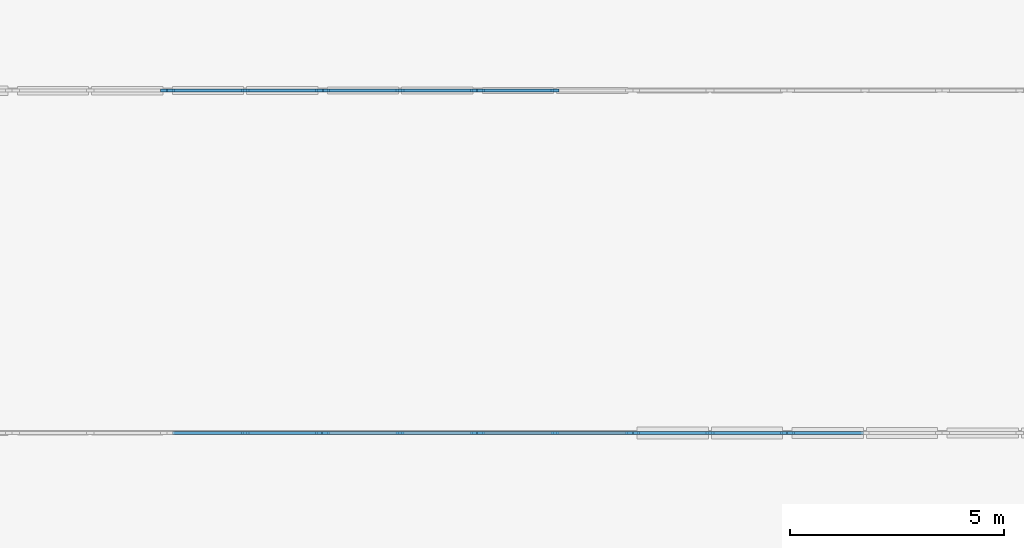
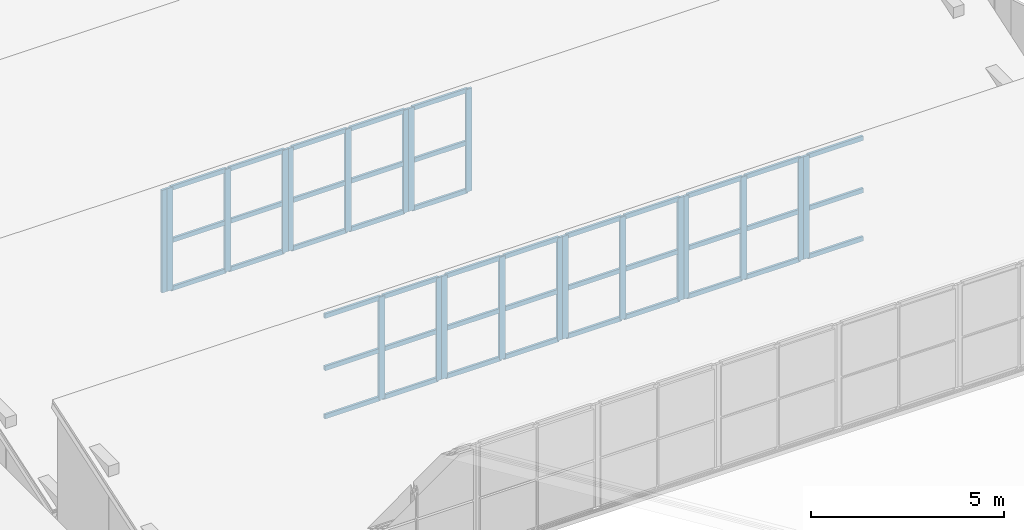
# One storey, part 8 of 45: 63 members, 9 elements without a shape of their own.
"""IFC4 building model written with IfcOpenShell, lengths in metres."""

from ifc_helpers import new_model, si_unit, direction, frame, origin, origin_2d, place, context, subcontext, project, spatial, rectangle, extrude, material, layer, layer_set, material_profile, profile_set, type_object, element, aggregate, save


model = new_model("IFC4")

# Units and contexts
model_context = context("Model", 3, precision=1e-05, world=origin(), true_north=direction((0.0, 1.0)))
body_context = subcontext(model_context, "Body", "Model", "MODEL_VIEW")
ifc_project = project(units=[si_unit("LENGTHUNIT", "METRE"), si_unit("AREAUNIT", "SQUARE_METRE"), si_unit("VOLUMEUNIT", "CUBIC_METRE"), si_unit("PLANEANGLEUNIT", "RADIAN"), si_unit("MASSUNIT", "GRAM", prefix="KILO")], contexts=[model_context])

# Site, building, storey
site_placement = place(None, origin())
site = spatial("IfcSite", under=ifc_project, at=site_placement, CompositionType="ELEMENT")
building_placement = place(site_placement, origin())
building = spatial("IfcBuilding", under=site, at=building_placement, Name="Cinchona Park Media Centre", CompositionType="ELEMENT")
storey_placement = place(building_placement, frame((0.0, 0.0, 20.39990234375)))
storey = spatial("IfcBuildingStorey", under=building, at=storey_placement, Name="L04", CompositionType="ELEMENT", Elevation=20.39990234375)

# Curtain wall, member
ifc_material_1 = material(Name="Aluminium Curtain Wall Framing", Category="aluminium")
ifc_layer = layer(ifc_material_1, 0.31494140625)
ifc_layer_set = layer_set([ifc_layer], Name="Aluminium Curtain Wall Framing")
curtain_wall_type = type_object("IfcCurtainWallType", Name="CW-CW10", PredefinedType="USERDEFINED", material=ifc_layer_set)
curtain_wall_1_placement = place(storey_placement, origin())
curtain_wall_1 = element("IfcCurtainWall", 1, at=curtain_wall_1_placement, inside=storey, type_object=curtain_wall_type, Name="North-Light Sawtooth Clerestory V1 Bay 4.2 CW10 L04", ObjectType="UNITISED CURTAIN WALL", PredefinedType="USERDEFINED")
ifc_material_2 = material(Name="Anodised Aluminium Alloy 6063-T6", Category="aluminium")
ifc_material_profile_1 = material_profile(ifc_material_2, rectangle(XDim=0.070068359375, YDim=0.179931640625, at=origin_2d()), Name="MUL-70X180")
ifc_profile_set_1 = profile_set([ifc_material_profile_1], Name="Anodised Aluminium Alloy 6063-T6")
member_type_1 = type_object("IfcMemberType", Name="MULLION-MUL02", PredefinedType="MULLION", material=ifc_profile_set_1)
member_1_placement = place(storey_placement, frame((37.695068359375, 39.60009765625, 0.18017578125), z_axis=(0.0, 0.0, 1.0), x_axis=(0.0, -1.0, 0.0)))
member_1 = element("IfcMember", 2, at=member_1_placement, type_object=member_type_1, Name="CW10 mullion 3", PredefinedType="MULLION", context=body_context, shape_type="SweptSolid", body=[
    extrude(rectangle(XDim=0.070068359375, YDim=0.179931640625, at=origin_2d()), origin(), (0.0, 0.0, 1.0), 3.2568359375),
])

# Curtain wall, members
curtain_wall_2_placement = place(storey_placement, origin())
curtain_wall_2 = element("IfcCurtainWall", 3, at=curtain_wall_2_placement, inside=storey, type_object=curtain_wall_type, Name="North-Light Sawtooth Clerestory V1 Bay 4.3 CW10 L04", ObjectType="UNITISED CURTAIN WALL", PredefinedType="USERDEFINED")
member_2_placement = place(storey_placement, frame((37.544921875, 39.60009765625, 0.18017578125), z_axis=(0.0, 0.0, 1.0), x_axis=(0.0, -1.0, 0.0)))
member_2 = element("IfcMember", 4, at=member_2_placement, type_object=member_type_1, Name="CW10 mullion 1", PredefinedType="MULLION", context=body_context, shape_type="SweptSolid", body=[
    extrude(rectangle(XDim=0.070068359375, YDim=0.179931640625, at=origin_2d()), origin(), (0.0, 0.0, 1.0), 3.2568359375),
])
member_3_placement = place(storey_placement, frame((35.81005859375, 39.60009765625, 0.18017578125), z_axis=(0.0, 0.0, 1.0), x_axis=(0.0, -1.0, 0.0)))
member_3 = element("IfcMember", 5, at=member_3_placement, type_object=member_type_1, Name="CW10 mullion 2", PredefinedType="MULLION", context=body_context, shape_type="SweptSolid", body=[
    extrude(rectangle(XDim=0.070068359375, YDim=0.179931640625, at=origin_2d()), origin(), (0.0, 0.0, 1.0), 3.2568359375),
])
member_4_placement = place(storey_placement, frame((34.074951171875, 39.60009765625, 0.18017578125), z_axis=(0.0, 0.0, 1.0), x_axis=(0.0, -1.0, 0.0)))
member_4 = element("IfcMember", 6, at=member_4_placement, type_object=member_type_1, Name="CW10 mullion 3", PredefinedType="MULLION", context=body_context, shape_type="SweptSolid", body=[
    extrude(rectangle(XDim=0.070068359375, YDim=0.179931640625, at=origin_2d()), origin(), (0.0, 0.0, 1.0), 3.2568359375),
])

curtain_wall_3_placement = place(storey_placement, origin())
curtain_wall_3 = element("IfcCurtainWall", 7, at=curtain_wall_3_placement, inside=storey, type_object=curtain_wall_type, Name="North-Light Sawtooth Clerestory V1 Bay 4.4 CW10 L04", ObjectType="UNITISED CURTAIN WALL", PredefinedType="USERDEFINED")
member_5_placement = place(storey_placement, frame((33.925048828125, 39.60009765625, 0.18017578125), z_axis=(0.0, 0.0, 1.0), x_axis=(0.0, -1.0, 0.0)))
member_5 = element("IfcMember", 8, at=member_5_placement, type_object=member_type_1, Name="CW10 mullion 1", PredefinedType="MULLION", context=body_context, shape_type="SweptSolid", body=[
    extrude(rectangle(XDim=0.070068359375, YDim=0.179931640625, at=origin_2d()), origin(), (0.0, 0.0, 1.0), 3.2568359375),
])
member_6_placement = place(storey_placement, frame((32.18994140625, 39.60009765625, 0.18017578125), z_axis=(0.0, 0.0, 1.0), x_axis=(0.0, -1.0, 0.0)))
member_6 = element("IfcMember", 9, at=member_6_placement, type_object=member_type_1, Name="CW10 mullion 2", PredefinedType="MULLION", context=body_context, shape_type="SweptSolid", body=[
    extrude(rectangle(XDim=0.070068359375, YDim=0.179931640625, at=origin_2d()), origin(), (0.0, 0.0, 1.0), 3.2568359375),
])
member_7_placement = place(storey_placement, frame((30.455078125, 39.60009765625, 0.18017578125), z_axis=(0.0, 0.0, 1.0), x_axis=(0.0, -1.0, 0.0)))
member_7 = element("IfcMember", 10, at=member_7_placement, type_object=member_type_1, Name="CW10 mullion 3", PredefinedType="MULLION", context=body_context, shape_type="SweptSolid", body=[
    extrude(rectangle(XDim=0.070068359375, YDim=0.179931640625, at=origin_2d()), origin(), (0.0, 0.0, 1.0), 3.2568359375),
])

curtain_wall_4_placement = place(storey_placement, origin())
curtain_wall_4 = element("IfcCurtainWall", 11, at=curtain_wall_4_placement, inside=storey, type_object=curtain_wall_type, Name="North-Light Sawtooth Clerestory V1 Bay 4.5 CW10 L04", ObjectType="UNITISED CURTAIN WALL", PredefinedType="USERDEFINED")
member_8_placement = place(storey_placement, frame((30.304931640625, 39.60009765625, 0.18017578125), z_axis=(0.0, 0.0, 1.0), x_axis=(0.0, -1.0, 0.0)))
member_8 = element("IfcMember", 12, at=member_8_placement, type_object=member_type_1, Name="CW10 mullion 1", PredefinedType="MULLION", context=body_context, shape_type="SweptSolid", body=[
    extrude(rectangle(XDim=0.070068359375, YDim=0.179931640625, at=origin_2d()), origin(), (0.0, 0.0, 1.0), 3.2568359375),
])
member_9_placement = place(storey_placement, frame((28.570068359375, 39.60009765625, 0.18017578125), z_axis=(0.0, 0.0, 1.0), x_axis=(0.0, -1.0, 0.0)))
member_9 = element("IfcMember", 13, at=member_9_placement, type_object=member_type_1, Name="CW10 mullion 2", PredefinedType="MULLION", context=body_context, shape_type="SweptSolid", body=[
    extrude(rectangle(XDim=0.070068359375, YDim=0.179931640625, at=origin_2d()), origin(), (0.0, 0.0, 1.0), 3.2568359375),
])
member_10_placement = place(storey_placement, frame((26.8349609375, 39.60009765625, 0.18017578125), z_axis=(0.0, 0.0, 1.0), x_axis=(0.0, -1.0, 0.0)))
member_10 = element("IfcMember", 14, at=member_10_placement, type_object=member_type_1, Name="CW10 mullion 3", PredefinedType="MULLION", context=body_context, shape_type="SweptSolid", body=[
    extrude(rectangle(XDim=0.070068359375, YDim=0.179931640625, at=origin_2d()), origin(), (0.0, 0.0, 1.0), 3.2568359375),
])

curtain_wall_5_placement = place(storey_placement, origin())
curtain_wall_5 = element("IfcCurtainWall", 15, at=curtain_wall_5_placement, inside=storey, type_object=curtain_wall_type, Name="North-Light Sawtooth Clerestory V1 Bay 4.6 CW10 L04", ObjectType="UNITISED CURTAIN WALL", PredefinedType="USERDEFINED")
member_11_placement = place(storey_placement, frame((26.68505859375, 39.60009765625, 0.18017578125), z_axis=(0.0, 0.0, 1.0), x_axis=(0.0, -1.0, 0.0)))
member_11 = element("IfcMember", 16, at=member_11_placement, type_object=member_type_1, Name="CW10 mullion 1", PredefinedType="MULLION", context=body_context, shape_type="SweptSolid", body=[
    extrude(rectangle(XDim=0.070068359375, YDim=0.179931640625, at=origin_2d()), origin(), (0.0, 0.0, 1.0), 3.2568359375),
])
member_12_placement = place(storey_placement, frame((24.949951171875, 39.60009765625, 0.18017578125), z_axis=(0.0, 0.0, 1.0), x_axis=(0.0, -1.0, 0.0)))
member_12 = element("IfcMember", 17, at=member_12_placement, type_object=member_type_1, Name="CW10 mullion 2", PredefinedType="MULLION", context=body_context, shape_type="SweptSolid", body=[
    extrude(rectangle(XDim=0.070068359375, YDim=0.179931640625, at=origin_2d()), origin(), (0.0, 0.0, 1.0), 3.2568359375),
])

curtain_wall_6_placement = place(storey_placement, origin())
curtain_wall_6 = element("IfcCurtainWall", 18, at=curtain_wall_6_placement, inside=storey, type_object=curtain_wall_type, Name="North-Light Sawtooth Clerestory V1 Bay 5.4 CW10 L04", ObjectType="UNITISED CURTAIN WALL", PredefinedType="USERDEFINED")
member_13_placement = place(storey_placement, frame((32.18994140625, 47.60009765625, -0.619873046875), z_axis=(0.0, 0.0, 1.0), x_axis=(0.0, -1.0, 0.0)))
member_13 = element("IfcMember", 19, at=member_13_placement, type_object=member_type_1, Name="CW10 mullion 2", PredefinedType="MULLION", context=body_context, shape_type="SweptSolid", body=[
    extrude(rectangle(XDim=0.070068359375, YDim=0.179931640625, at=origin_2d()), origin(), (0.0, 0.0, 1.0), 3.257080078125),
])
member_14_placement = place(storey_placement, frame((30.455078125, 47.60009765625, -0.619873046875), z_axis=(0.0, 0.0, 1.0), x_axis=(0.0, -1.0, 0.0)))
member_14 = element("IfcMember", 20, at=member_14_placement, type_object=member_type_1, Name="CW10 mullion 3", PredefinedType="MULLION", context=body_context, shape_type="SweptSolid", body=[
    extrude(rectangle(XDim=0.070068359375, YDim=0.179931640625, at=origin_2d()), origin(), (0.0, 0.0, 1.0), 3.257080078125),
])

curtain_wall_7_placement = place(storey_placement, origin())
curtain_wall_7 = element("IfcCurtainWall", 21, at=curtain_wall_7_placement, inside=storey, type_object=curtain_wall_type, Name="North-Light Sawtooth Clerestory V1 Bay 5.5 CW10 L04", ObjectType="UNITISED CURTAIN WALL", PredefinedType="USERDEFINED")
member_15_placement = place(storey_placement, frame((30.304931640625, 47.60009765625, -0.619873046875), z_axis=(0.0, 0.0, 1.0), x_axis=(0.0, -1.0, 0.0)))
member_15 = element("IfcMember", 22, at=member_15_placement, type_object=member_type_1, Name="CW10 mullion 1", PredefinedType="MULLION", context=body_context, shape_type="SweptSolid", body=[
    extrude(rectangle(XDim=0.070068359375, YDim=0.179931640625, at=origin_2d()), origin(), (0.0, 0.0, 1.0), 3.257080078125),
])
member_16_placement = place(storey_placement, frame((28.570068359375, 47.60009765625, -0.619873046875), z_axis=(0.0, 0.0, 1.0), x_axis=(0.0, -1.0, 0.0)))
member_16 = element("IfcMember", 23, at=member_16_placement, type_object=member_type_1, Name="CW10 mullion 2", PredefinedType="MULLION", context=body_context, shape_type="SweptSolid", body=[
    extrude(rectangle(XDim=0.070068359375, YDim=0.179931640625, at=origin_2d()), origin(), (0.0, 0.0, 1.0), 3.257080078125),
])
member_17_placement = place(storey_placement, frame((26.8349609375, 47.60009765625, -0.619873046875), z_axis=(0.0, 0.0, 1.0), x_axis=(0.0, -1.0, 0.0)))
member_17 = element("IfcMember", 24, at=member_17_placement, type_object=member_type_1, Name="CW10 mullion 3", PredefinedType="MULLION", context=body_context, shape_type="SweptSolid", body=[
    extrude(rectangle(XDim=0.070068359375, YDim=0.179931640625, at=origin_2d()), origin(), (0.0, 0.0, 1.0), 3.257080078125),
])

curtain_wall_8_placement = place(storey_placement, origin())
curtain_wall_8 = element("IfcCurtainWall", 25, at=curtain_wall_8_placement, inside=storey, type_object=curtain_wall_type, Name="North-Light Sawtooth Clerestory V1 Bay 5.6 CW10 L04", ObjectType="UNITISED CURTAIN WALL", PredefinedType="USERDEFINED")
member_18_placement = place(storey_placement, frame((26.68505859375, 47.60009765625, -0.619873046875), z_axis=(0.0, 0.0, 1.0), x_axis=(0.0, -1.0, 0.0)))
member_18 = element("IfcMember", 26, at=member_18_placement, type_object=member_type_1, Name="CW10 mullion 1", PredefinedType="MULLION", context=body_context, shape_type="SweptSolid", body=[
    extrude(rectangle(XDim=0.070068359375, YDim=0.179931640625, at=origin_2d()), origin(), (0.0, 0.0, 1.0), 3.257080078125),
])
member_19_placement = place(storey_placement, frame((24.949951171875, 47.60009765625, -0.619873046875), z_axis=(0.0, 0.0, 1.0), x_axis=(0.0, -1.0, 0.0)))
member_19 = element("IfcMember", 27, at=member_19_placement, type_object=member_type_1, Name="CW10 mullion 2", PredefinedType="MULLION", context=body_context, shape_type="SweptSolid", body=[
    extrude(rectangle(XDim=0.070068359375, YDim=0.179931640625, at=origin_2d()), origin(), (0.0, 0.0, 1.0), 3.257080078125),
])
member_20_placement = place(storey_placement, frame((23.215087890625, 47.60009765625, -0.619873046875), z_axis=(0.0, 0.0, 1.0), x_axis=(0.0, -1.0, 0.0)))
member_20 = element("IfcMember", 28, at=member_20_placement, type_object=member_type_1, Name="CW10 mullion 3", PredefinedType="MULLION", context=body_context, shape_type="SweptSolid", body=[
    extrude(rectangle(XDim=0.070068359375, YDim=0.179931640625, at=origin_2d()), origin(), (0.0, 0.0, 1.0), 3.257080078125),
])

# Curtain wall, member
curtain_wall_9_placement = place(storey_placement, origin())
curtain_wall_9 = element("IfcCurtainWall", 29, at=curtain_wall_9_placement, inside=storey, type_object=curtain_wall_type, Name="North-Light Sawtooth Clerestory V1 Bay 5.7 CW10 L04", ObjectType="UNITISED CURTAIN WALL", PredefinedType="USERDEFINED")
member_21_placement = place(storey_placement, frame((23.06494140625, 47.60009765625, -0.619873046875), z_axis=(0.0, 0.0, 1.0), x_axis=(0.0, -1.0, 0.0)))
member_21 = element("IfcMember", 30, at=member_21_placement, type_object=member_type_1, Name="CW10 mullion 1", PredefinedType="MULLION", context=body_context, shape_type="SweptSolid", body=[
    extrude(rectangle(XDim=0.070068359375, YDim=0.179931640625, at=origin_2d()), origin(), (0.0, 0.0, 1.0), 3.257080078125),
])
aggregate(curtain_wall_9, [member_21])

# Member
ifc_material_3 = material(Name="Anodised Aluminium Alloy 6063-T6", Category="aluminium")
ifc_material_profile_2 = material_profile(ifc_material_3, rectangle(XDim=0.070068359375, YDim=0.139892578125, at=origin_2d()), Name="TRN-70X140")
ifc_profile_set_2 = profile_set([ifc_material_profile_2], Name="Anodised Aluminium Alloy 6063-T6")
member_type_2 = type_object("IfcMemberType", Name="TRANSOM-TRN02", PredefinedType="USERDEFINED", material=ifc_profile_set_2)
member_22_placement = place(storey_placement, frame((39.39501953125, 39.60009765625, 0.215087890625), z_axis=(-1.0, 0.0, 0.0), x_axis=(0.0, -1.0, 0.0)))
member_22 = element("IfcMember", 31, at=member_22_placement, type_object=member_type_2, Name="CW10 transom 2.1", ObjectType="TRANSOM", PredefinedType="USERDEFINED", context=body_context, shape_type="SweptSolid", body=[
    extrude(rectangle(XDim=0.070068359375, YDim=0.139892578125, at=origin_2d()), origin(), (0.0, 0.0, 1.0), 1.6650390625),
])

member_23_placement = place(storey_placement, frame((39.39501953125, 39.60009765625, 1.7431640625), z_axis=(-1.0, 0.0, 0.0), x_axis=(0.0, -1.0, 0.0)))
member_23 = element("IfcMember", 32, at=member_23_placement, type_object=member_type_2, Name="CW10 transom 2.2", ObjectType="TRANSOM", PredefinedType="USERDEFINED", context=body_context, shape_type="SweptSolid", body=[
    extrude(rectangle(XDim=0.070068359375, YDim=0.139892578125, at=origin_2d()), origin(), (0.0, 0.0, 1.0), 1.6650390625),
])

member_24_placement = place(storey_placement, frame((39.39501953125, 39.60009765625, 3.402099609375), z_axis=(-1.0, 0.0, 0.0), x_axis=(0.0, -1.0, 0.0)))
member_24 = element("IfcMember", 33, at=member_24_placement, type_object=member_type_2, Name="CW10 transom 2.3", ObjectType="TRANSOM", PredefinedType="USERDEFINED", context=body_context, shape_type="SweptSolid", body=[
    extrude(rectangle(XDim=0.070068359375, YDim=0.139892578125, at=origin_2d()), origin(), (0.0, 0.0, 1.0), 1.6650390625),
])

aggregate(curtain_wall_1, [member_1, member_22, member_23, member_24])

member_25_placement = place(storey_placement, frame((37.510009765625, 39.60009765625, 0.215087890625), z_axis=(-1.0, 0.0, 0.0), x_axis=(0.0, -1.0, 0.0)))
member_25 = element("IfcMember", 34, at=member_25_placement, type_object=member_type_2, Name="CW10 transom 1.1", ObjectType="TRANSOM", PredefinedType="USERDEFINED", context=body_context, shape_type="SweptSolid", body=[
    extrude(rectangle(XDim=0.070068359375, YDim=0.139892578125, at=origin_2d()), origin(), (0.0, 0.0, 1.0), 1.6650390625),
])

member_26_placement = place(storey_placement, frame((37.510009765625, 39.60009765625, 1.7431640625), z_axis=(-1.0, 0.0, 0.0), x_axis=(0.0, -1.0, 0.0)))
member_26 = element("IfcMember", 35, at=member_26_placement, type_object=member_type_2, Name="CW10 transom 1.2", ObjectType="TRANSOM", PredefinedType="USERDEFINED", context=body_context, shape_type="SweptSolid", body=[
    extrude(rectangle(XDim=0.070068359375, YDim=0.139892578125, at=origin_2d()), origin(), (0.0, 0.0, 1.0), 1.6650390625),
])

member_27_placement = place(storey_placement, frame((37.510009765625, 39.60009765625, 3.402099609375), z_axis=(-1.0, 0.0, 0.0), x_axis=(0.0, -1.0, 0.0)))
member_27 = element("IfcMember", 36, at=member_27_placement, type_object=member_type_2, Name="CW10 transom 1.3", ObjectType="TRANSOM", PredefinedType="USERDEFINED", context=body_context, shape_type="SweptSolid", body=[
    extrude(rectangle(XDim=0.070068359375, YDim=0.139892578125, at=origin_2d()), origin(), (0.0, 0.0, 1.0), 1.6650390625),
])

member_28_placement = place(storey_placement, frame((35.77490234375, 39.60009765625, 0.215087890625), z_axis=(-1.0, 0.0, 0.0), x_axis=(0.0, -1.0, 0.0)))
member_28 = element("IfcMember", 37, at=member_28_placement, type_object=member_type_2, Name="CW10 transom 2.1", ObjectType="TRANSOM", PredefinedType="USERDEFINED", context=body_context, shape_type="SweptSolid", body=[
    extrude(rectangle(XDim=0.070068359375, YDim=0.139892578125, at=origin_2d()), origin(), (0.0, 0.0, 1.0), 1.664794921875),
])

member_29_placement = place(storey_placement, frame((35.77490234375, 39.60009765625, 1.7431640625), z_axis=(-1.0, 0.0, 0.0), x_axis=(0.0, -1.0, 0.0)))
member_29 = element("IfcMember", 38, at=member_29_placement, type_object=member_type_2, Name="CW10 transom 2.2", ObjectType="TRANSOM", PredefinedType="USERDEFINED", context=body_context, shape_type="SweptSolid", body=[
    extrude(rectangle(XDim=0.070068359375, YDim=0.139892578125, at=origin_2d()), origin(), (0.0, 0.0, 1.0), 1.664794921875),
])

member_30_placement = place(storey_placement, frame((35.77490234375, 39.60009765625, 3.402099609375), z_axis=(-1.0, 0.0, 0.0), x_axis=(0.0, -1.0, 0.0)))
member_30 = element("IfcMember", 39, at=member_30_placement, type_object=member_type_2, Name="CW10 transom 2.3", ObjectType="TRANSOM", PredefinedType="USERDEFINED", context=body_context, shape_type="SweptSolid", body=[
    extrude(rectangle(XDim=0.070068359375, YDim=0.139892578125, at=origin_2d()), origin(), (0.0, 0.0, 1.0), 1.664794921875),
])

aggregate(curtain_wall_2, [member_2, member_3, member_4, member_25, member_26, member_27, member_28, member_29, member_30])

member_31_placement = place(storey_placement, frame((33.889892578125, 39.60009765625, 0.215087890625), z_axis=(-1.0, 0.0, 0.0), x_axis=(0.0, -1.0, 0.0)))
member_31 = element("IfcMember", 40, at=member_31_placement, type_object=member_type_2, Name="CW10 transom 1.1", ObjectType="TRANSOM", PredefinedType="USERDEFINED", context=body_context, shape_type="SweptSolid", body=[
    extrude(rectangle(XDim=0.070068359375, YDim=0.139892578125, at=origin_2d()), origin(), (0.0, 0.0, 1.0), 1.664794921875),
])

member_32_placement = place(storey_placement, frame((33.889892578125, 39.60009765625, 1.7431640625), z_axis=(-1.0, 0.0, 0.0), x_axis=(0.0, -1.0, 0.0)))
member_32 = element("IfcMember", 41, at=member_32_placement, type_object=member_type_2, Name="CW10 transom 1.2", ObjectType="TRANSOM", PredefinedType="USERDEFINED", context=body_context, shape_type="SweptSolid", body=[
    extrude(rectangle(XDim=0.070068359375, YDim=0.139892578125, at=origin_2d()), origin(), (0.0, 0.0, 1.0), 1.664794921875),
])

member_33_placement = place(storey_placement, frame((33.889892578125, 39.60009765625, 3.402099609375), z_axis=(-1.0, 0.0, 0.0), x_axis=(0.0, -1.0, 0.0)))
member_33 = element("IfcMember", 42, at=member_33_placement, type_object=member_type_2, Name="CW10 transom 1.3", ObjectType="TRANSOM", PredefinedType="USERDEFINED", context=body_context, shape_type="SweptSolid", body=[
    extrude(rectangle(XDim=0.070068359375, YDim=0.139892578125, at=origin_2d()), origin(), (0.0, 0.0, 1.0), 1.664794921875),
])

member_34_placement = place(storey_placement, frame((32.155029296875, 39.60009765625, 0.215087890625), z_axis=(-1.0, 0.0, 0.0), x_axis=(0.0, -1.0, 0.0)))
member_34 = element("IfcMember", 43, at=member_34_placement, type_object=member_type_2, Name="CW10 transom 2.1", ObjectType="TRANSOM", PredefinedType="USERDEFINED", context=body_context, shape_type="SweptSolid", body=[
    extrude(rectangle(XDim=0.070068359375, YDim=0.139892578125, at=origin_2d()), origin(), (0.0, 0.0, 1.0), 1.6650390625),
])

member_35_placement = place(storey_placement, frame((32.155029296875, 39.60009765625, 1.7431640625), z_axis=(-1.0, 0.0, 0.0), x_axis=(0.0, -1.0, 0.0)))
member_35 = element("IfcMember", 44, at=member_35_placement, type_object=member_type_2, Name="CW10 transom 2.2", ObjectType="TRANSOM", PredefinedType="USERDEFINED", context=body_context, shape_type="SweptSolid", body=[
    extrude(rectangle(XDim=0.070068359375, YDim=0.139892578125, at=origin_2d()), origin(), (0.0, 0.0, 1.0), 1.6650390625),
])

member_36_placement = place(storey_placement, frame((32.155029296875, 39.60009765625, 3.402099609375), z_axis=(-1.0, 0.0, 0.0), x_axis=(0.0, -1.0, 0.0)))
member_36 = element("IfcMember", 45, at=member_36_placement, type_object=member_type_2, Name="CW10 transom 2.3", ObjectType="TRANSOM", PredefinedType="USERDEFINED", context=body_context, shape_type="SweptSolid", body=[
    extrude(rectangle(XDim=0.070068359375, YDim=0.139892578125, at=origin_2d()), origin(), (0.0, 0.0, 1.0), 1.6650390625),
])

aggregate(curtain_wall_3, [member_5, member_6, member_7, member_31, member_32, member_33, member_34, member_35, member_36])

member_37_placement = place(storey_placement, frame((30.27001953125, 39.60009765625, 0.215087890625), z_axis=(-1.0, 0.0, 0.0), x_axis=(0.0, -1.0, 0.0)))
member_37 = element("IfcMember", 46, at=member_37_placement, type_object=member_type_2, Name="CW10 transom 1.1", ObjectType="TRANSOM", PredefinedType="USERDEFINED", context=body_context, shape_type="SweptSolid", body=[
    extrude(rectangle(XDim=0.070068359375, YDim=0.139892578125, at=origin_2d()), origin(), (0.0, 0.0, 1.0), 1.6650390625),
])

member_38_placement = place(storey_placement, frame((30.27001953125, 39.60009765625, 1.7431640625), z_axis=(-1.0, 0.0, 0.0), x_axis=(0.0, -1.0, 0.0)))
member_38 = element("IfcMember", 47, at=member_38_placement, type_object=member_type_2, Name="CW10 transom 1.2", ObjectType="TRANSOM", PredefinedType="USERDEFINED", context=body_context, shape_type="SweptSolid", body=[
    extrude(rectangle(XDim=0.070068359375, YDim=0.139892578125, at=origin_2d()), origin(), (0.0, 0.0, 1.0), 1.6650390625),
])

member_39_placement = place(storey_placement, frame((30.27001953125, 39.60009765625, 3.402099609375), z_axis=(-1.0, 0.0, 0.0), x_axis=(0.0, -1.0, 0.0)))
member_39 = element("IfcMember", 48, at=member_39_placement, type_object=member_type_2, Name="CW10 transom 1.3", ObjectType="TRANSOM", PredefinedType="USERDEFINED", context=body_context, shape_type="SweptSolid", body=[
    extrude(rectangle(XDim=0.070068359375, YDim=0.139892578125, at=origin_2d()), origin(), (0.0, 0.0, 1.0), 1.6650390625),
])

member_40_placement = place(storey_placement, frame((28.534912109375, 39.60009765625, 0.215087890625), z_axis=(-1.0, 0.0, 0.0), x_axis=(0.0, -1.0, 0.0)))
member_40 = element("IfcMember", 49, at=member_40_placement, type_object=member_type_2, Name="CW10 transom 2.1", ObjectType="TRANSOM", PredefinedType="USERDEFINED", context=body_context, shape_type="SweptSolid", body=[
    extrude(rectangle(XDim=0.070068359375, YDim=0.139892578125, at=origin_2d()), origin(), (0.0, 0.0, 1.0), 1.664794921875),
])

member_41_placement = place(storey_placement, frame((28.534912109375, 39.60009765625, 1.7431640625), z_axis=(-1.0, 0.0, 0.0), x_axis=(0.0, -1.0, 0.0)))
member_41 = element("IfcMember", 50, at=member_41_placement, type_object=member_type_2, Name="CW10 transom 2.2", ObjectType="TRANSOM", PredefinedType="USERDEFINED", context=body_context, shape_type="SweptSolid", body=[
    extrude(rectangle(XDim=0.070068359375, YDim=0.139892578125, at=origin_2d()), origin(), (0.0, 0.0, 1.0), 1.664794921875),
])

member_42_placement = place(storey_placement, frame((28.534912109375, 39.60009765625, 3.402099609375), z_axis=(-1.0, 0.0, 0.0), x_axis=(0.0, -1.0, 0.0)))
member_42 = element("IfcMember", 51, at=member_42_placement, type_object=member_type_2, Name="CW10 transom 2.3", ObjectType="TRANSOM", PredefinedType="USERDEFINED", context=body_context, shape_type="SweptSolid", body=[
    extrude(rectangle(XDim=0.070068359375, YDim=0.139892578125, at=origin_2d()), origin(), (0.0, 0.0, 1.0), 1.664794921875),
])

aggregate(curtain_wall_4, [member_8, member_9, member_10, member_37, member_38, member_39, member_40, member_41, member_42])

member_43_placement = place(storey_placement, frame((26.64990234375, 39.60009765625, 0.215087890625), z_axis=(-1.0, 0.0, 0.0), x_axis=(0.0, -1.0, 0.0)))
member_43 = element("IfcMember", 52, at=member_43_placement, type_object=member_type_2, Name="CW10 transom 1.1", ObjectType="TRANSOM", PredefinedType="USERDEFINED", context=body_context, shape_type="SweptSolid", body=[
    extrude(rectangle(XDim=0.070068359375, YDim=0.139892578125, at=origin_2d()), origin(), (0.0, 0.0, 1.0), 1.664794921875),
])

member_44_placement = place(storey_placement, frame((26.64990234375, 39.60009765625, 1.7431640625), z_axis=(-1.0, 0.0, 0.0), x_axis=(0.0, -1.0, 0.0)))
member_44 = element("IfcMember", 53, at=member_44_placement, type_object=member_type_2, Name="CW10 transom 1.2", ObjectType="TRANSOM", PredefinedType="USERDEFINED", context=body_context, shape_type="SweptSolid", body=[
    extrude(rectangle(XDim=0.070068359375, YDim=0.139892578125, at=origin_2d()), origin(), (0.0, 0.0, 1.0), 1.664794921875),
])

member_45_placement = place(storey_placement, frame((26.64990234375, 39.60009765625, 3.402099609375), z_axis=(-1.0, 0.0, 0.0), x_axis=(0.0, -1.0, 0.0)))
member_45 = element("IfcMember", 54, at=member_45_placement, type_object=member_type_2, Name="CW10 transom 1.3", ObjectType="TRANSOM", PredefinedType="USERDEFINED", context=body_context, shape_type="SweptSolid", body=[
    extrude(rectangle(XDim=0.070068359375, YDim=0.139892578125, at=origin_2d()), origin(), (0.0, 0.0, 1.0), 1.664794921875),
])

member_46_placement = place(storey_placement, frame((24.9150390625, 39.60009765625, 0.215087890625), z_axis=(-1.0, 0.0, 0.0), x_axis=(0.0, -1.0, 0.0)))
member_46 = element("IfcMember", 55, at=member_46_placement, type_object=member_type_2, Name="CW10 transom 2.1", ObjectType="TRANSOM", PredefinedType="USERDEFINED", context=body_context, shape_type="SweptSolid", body=[
    extrude(rectangle(XDim=0.070068359375, YDim=0.139892578125, at=origin_2d()), origin(), (0.0, 0.0, 1.0), 1.6650390625),
])

member_47_placement = place(storey_placement, frame((24.9150390625, 39.60009765625, 1.7431640625), z_axis=(-1.0, 0.0, 0.0), x_axis=(0.0, -1.0, 0.0)))
member_47 = element("IfcMember", 56, at=member_47_placement, type_object=member_type_2, Name="CW10 transom 2.2", ObjectType="TRANSOM", PredefinedType="USERDEFINED", context=body_context, shape_type="SweptSolid", body=[
    extrude(rectangle(XDim=0.070068359375, YDim=0.139892578125, at=origin_2d()), origin(), (0.0, 0.0, 1.0), 1.6650390625),
])

member_48_placement = place(storey_placement, frame((24.9150390625, 39.60009765625, 3.402099609375), z_axis=(-1.0, 0.0, 0.0), x_axis=(0.0, -1.0, 0.0)))
member_48 = element("IfcMember", 57, at=member_48_placement, type_object=member_type_2, Name="CW10 transom 2.3", ObjectType="TRANSOM", PredefinedType="USERDEFINED", context=body_context, shape_type="SweptSolid", body=[
    extrude(rectangle(XDim=0.070068359375, YDim=0.139892578125, at=origin_2d()), origin(), (0.0, 0.0, 1.0), 1.6650390625),
])

aggregate(curtain_wall_5, [member_11, member_12, member_43, member_44, member_45, member_46, member_47, member_48])

member_49_placement = place(storey_placement, frame((32.155029296875, 47.60009765625, -0.5849609375), z_axis=(-1.0, 0.0, 0.0), x_axis=(0.0, -1.0, 0.0)))
member_49 = element("IfcMember", 58, at=member_49_placement, type_object=member_type_2, Name="CW10 transom 2.1", ObjectType="TRANSOM", PredefinedType="USERDEFINED", context=body_context, shape_type="SweptSolid", body=[
    extrude(rectangle(XDim=0.070068359375, YDim=0.139892578125, at=origin_2d()), origin(), (0.0, 0.0, 1.0), 1.6650390625),
])

member_50_placement = place(storey_placement, frame((32.155029296875, 47.60009765625, 0.943115234375), z_axis=(-1.0, 0.0, 0.0), x_axis=(0.0, -1.0, 0.0)))
member_50 = element("IfcMember", 59, at=member_50_placement, type_object=member_type_2, Name="CW10 transom 2.2", ObjectType="TRANSOM", PredefinedType="USERDEFINED", context=body_context, shape_type="SweptSolid", body=[
    extrude(rectangle(XDim=0.070068359375, YDim=0.139892578125, at=origin_2d()), origin(), (0.0, 0.0, 1.0), 1.6650390625),
])

member_51_placement = place(storey_placement, frame((32.155029296875, 47.60009765625, 2.60205078125), z_axis=(-1.0, 0.0, 0.0), x_axis=(0.0, -1.0, 0.0)))
member_51 = element("IfcMember", 60, at=member_51_placement, type_object=member_type_2, Name="CW10 transom 2.3", ObjectType="TRANSOM", PredefinedType="USERDEFINED", context=body_context, shape_type="SweptSolid", body=[
    extrude(rectangle(XDim=0.070068359375, YDim=0.139892578125, at=origin_2d()), origin(), (0.0, 0.0, 1.0), 1.6650390625),
])

aggregate(curtain_wall_6, [member_13, member_14, member_49, member_50, member_51])

member_52_placement = place(storey_placement, frame((30.27001953125, 47.60009765625, -0.5849609375), z_axis=(-1.0, 0.0, 0.0), x_axis=(0.0, -1.0, 0.0)))
member_52 = element("IfcMember", 61, at=member_52_placement, type_object=member_type_2, Name="CW10 transom 1.1", ObjectType="TRANSOM", PredefinedType="USERDEFINED", context=body_context, shape_type="SweptSolid", body=[
    extrude(rectangle(XDim=0.070068359375, YDim=0.139892578125, at=origin_2d()), origin(), (0.0, 0.0, 1.0), 1.6650390625),
])

member_53_placement = place(storey_placement, frame((30.27001953125, 47.60009765625, 0.943115234375), z_axis=(-1.0, 0.0, 0.0), x_axis=(0.0, -1.0, 0.0)))
member_53 = element("IfcMember", 62, at=member_53_placement, type_object=member_type_2, Name="CW10 transom 1.2", ObjectType="TRANSOM", PredefinedType="USERDEFINED", context=body_context, shape_type="SweptSolid", body=[
    extrude(rectangle(XDim=0.070068359375, YDim=0.139892578125, at=origin_2d()), origin(), (0.0, 0.0, 1.0), 1.6650390625),
])

member_54_placement = place(storey_placement, frame((30.27001953125, 47.60009765625, 2.60205078125), z_axis=(-1.0, 0.0, 0.0), x_axis=(0.0, -1.0, 0.0)))
member_54 = element("IfcMember", 63, at=member_54_placement, type_object=member_type_2, Name="CW10 transom 1.3", ObjectType="TRANSOM", PredefinedType="USERDEFINED", context=body_context, shape_type="SweptSolid", body=[
    extrude(rectangle(XDim=0.070068359375, YDim=0.139892578125, at=origin_2d()), origin(), (0.0, 0.0, 1.0), 1.6650390625),
])

member_55_placement = place(storey_placement, frame((28.534912109375, 47.60009765625, -0.5849609375), z_axis=(-1.0, 0.0, 0.0), x_axis=(0.0, -1.0, 0.0)))
member_55 = element("IfcMember", 64, at=member_55_placement, type_object=member_type_2, Name="CW10 transom 2.1", ObjectType="TRANSOM", PredefinedType="USERDEFINED", context=body_context, shape_type="SweptSolid", body=[
    extrude(rectangle(XDim=0.070068359375, YDim=0.139892578125, at=origin_2d()), origin(), (0.0, 0.0, 1.0), 1.664794921875),
])

member_56_placement = place(storey_placement, frame((28.534912109375, 47.60009765625, 0.943115234375), z_axis=(-1.0, 0.0, 0.0), x_axis=(0.0, -1.0, 0.0)))
member_56 = element("IfcMember", 65, at=member_56_placement, type_object=member_type_2, Name="CW10 transom 2.2", ObjectType="TRANSOM", PredefinedType="USERDEFINED", context=body_context, shape_type="SweptSolid", body=[
    extrude(rectangle(XDim=0.070068359375, YDim=0.139892578125, at=origin_2d()), origin(), (0.0, 0.0, 1.0), 1.664794921875),
])

member_57_placement = place(storey_placement, frame((28.534912109375, 47.60009765625, 2.60205078125), z_axis=(-1.0, 0.0, 0.0), x_axis=(0.0, -1.0, 0.0)))
member_57 = element("IfcMember", 66, at=member_57_placement, type_object=member_type_2, Name="CW10 transom 2.3", ObjectType="TRANSOM", PredefinedType="USERDEFINED", context=body_context, shape_type="SweptSolid", body=[
    extrude(rectangle(XDim=0.070068359375, YDim=0.139892578125, at=origin_2d()), origin(), (0.0, 0.0, 1.0), 1.664794921875),
])

aggregate(curtain_wall_7, [member_15, member_16, member_17, member_52, member_53, member_54, member_55, member_56, member_57])

member_58_placement = place(storey_placement, frame((26.64990234375, 47.60009765625, -0.5849609375), z_axis=(-1.0, 0.0, 0.0), x_axis=(0.0, -1.0, 0.0)))
member_58 = element("IfcMember", 67, at=member_58_placement, type_object=member_type_2, Name="CW10 transom 1.1", ObjectType="TRANSOM", PredefinedType="USERDEFINED", context=body_context, shape_type="SweptSolid", body=[
    extrude(rectangle(XDim=0.070068359375, YDim=0.139892578125, at=origin_2d()), origin(), (0.0, 0.0, 1.0), 1.664794921875),
])

member_59_placement = place(storey_placement, frame((26.64990234375, 47.60009765625, 0.943115234375), z_axis=(-1.0, 0.0, 0.0), x_axis=(0.0, -1.0, 0.0)))
member_59 = element("IfcMember", 68, at=member_59_placement, type_object=member_type_2, Name="CW10 transom 1.2", ObjectType="TRANSOM", PredefinedType="USERDEFINED", context=body_context, shape_type="SweptSolid", body=[
    extrude(rectangle(XDim=0.070068359375, YDim=0.139892578125, at=origin_2d()), origin(), (0.0, 0.0, 1.0), 1.664794921875),
])

member_60_placement = place(storey_placement, frame((26.64990234375, 47.60009765625, 2.60205078125), z_axis=(-1.0, 0.0, 0.0), x_axis=(0.0, -1.0, 0.0)))
member_60 = element("IfcMember", 69, at=member_60_placement, type_object=member_type_2, Name="CW10 transom 1.3", ObjectType="TRANSOM", PredefinedType="USERDEFINED", context=body_context, shape_type="SweptSolid", body=[
    extrude(rectangle(XDim=0.070068359375, YDim=0.139892578125, at=origin_2d()), origin(), (0.0, 0.0, 1.0), 1.664794921875),
])

member_61_placement = place(storey_placement, frame((24.9150390625, 47.60009765625, -0.5849609375), z_axis=(-1.0, 0.0, 0.0), x_axis=(0.0, -1.0, 0.0)))
member_61 = element("IfcMember", 70, at=member_61_placement, type_object=member_type_2, Name="CW10 transom 2.1", ObjectType="TRANSOM", PredefinedType="USERDEFINED", context=body_context, shape_type="SweptSolid", body=[
    extrude(rectangle(XDim=0.070068359375, YDim=0.139892578125, at=origin_2d()), origin(), (0.0, 0.0, 1.0), 1.6650390625),
])

member_62_placement = place(storey_placement, frame((24.9150390625, 47.60009765625, 0.943115234375), z_axis=(-1.0, 0.0, 0.0), x_axis=(0.0, -1.0, 0.0)))
member_62 = element("IfcMember", 71, at=member_62_placement, type_object=member_type_2, Name="CW10 transom 2.2", ObjectType="TRANSOM", PredefinedType="USERDEFINED", context=body_context, shape_type="SweptSolid", body=[
    extrude(rectangle(XDim=0.070068359375, YDim=0.139892578125, at=origin_2d()), origin(), (0.0, 0.0, 1.0), 1.6650390625),
])

member_63_placement = place(storey_placement, frame((24.9150390625, 47.60009765625, 2.60205078125), z_axis=(-1.0, 0.0, 0.0), x_axis=(0.0, -1.0, 0.0)))
member_63 = element("IfcMember", 72, at=member_63_placement, type_object=member_type_2, Name="CW10 transom 2.3", ObjectType="TRANSOM", PredefinedType="USERDEFINED", context=body_context, shape_type="SweptSolid", body=[
    extrude(rectangle(XDim=0.070068359375, YDim=0.139892578125, at=origin_2d()), origin(), (0.0, 0.0, 1.0), 1.6650390625),
])

aggregate(curtain_wall_8, [member_18, member_19, member_20, member_58, member_59, member_60, member_61, member_62, member_63])

save(model, "model.ifc")
